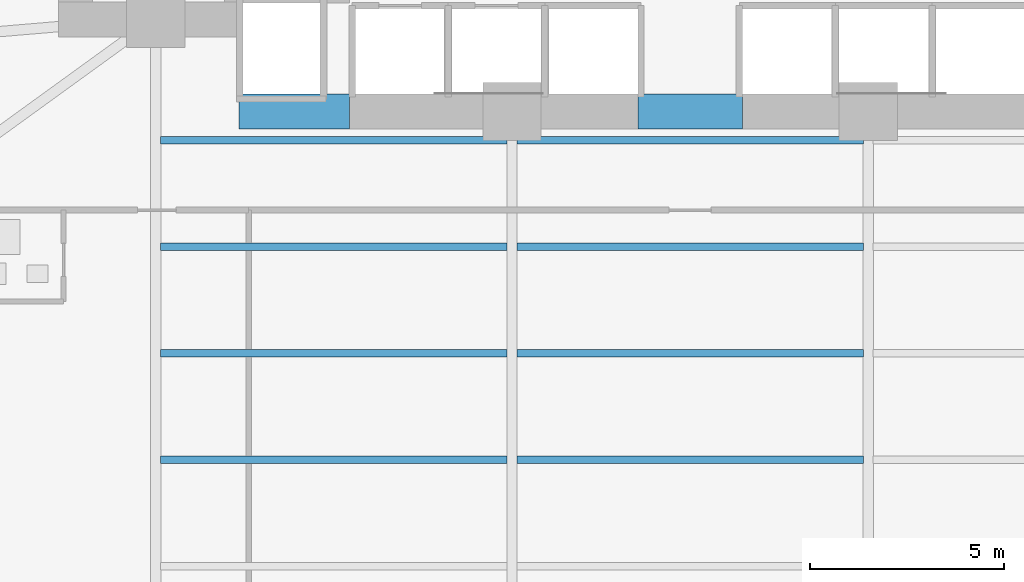
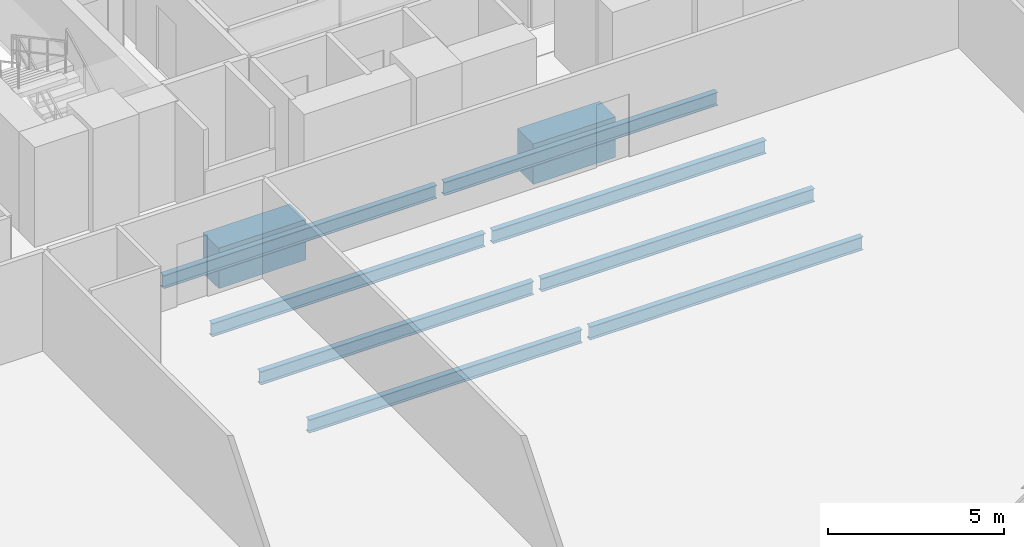
# One storey, part 7 of 28: 10 beams.
"""IFC4 building model written with IfcOpenShell, lengths in metres."""

from ifc_helpers import new_model, si_unit, direction, frame, origin, origin_2d, place, context, subcontext, project, spatial, rectangle, i_section, extrude, material, material_profile, profile_set, type_object, element, save


model = new_model("IFC4")

# Units and contexts
model_context = context("Model", 3, precision=1e-05, world=origin(), true_north=direction((0.0, 1.0)))
body_context = subcontext(model_context, "Body", "Model", "MODEL_VIEW")
ifc_project = project(units=[si_unit("LENGTHUNIT", "METRE"), si_unit("AREAUNIT", "SQUARE_METRE"), si_unit("VOLUMEUNIT", "CUBIC_METRE"), si_unit("PLANEANGLEUNIT", "RADIAN"), si_unit("MASSUNIT", "GRAM", prefix="KILO")], contexts=[model_context])

# Site, building, storey
site_placement = place(None, origin())
site = spatial("IfcSite", under=ifc_project, at=site_placement, CompositionType="ELEMENT")
building_placement = place(site_placement, origin())
building = spatial("IfcBuilding", under=site, at=building_placement, Name="Zuhayl Quay Hotel", CompositionType="ELEMENT")
storey_placement = place(building_placement, frame((0.0, 0.0, 78.699951171875)))
storey = spatial("IfcBuildingStorey", under=building, at=storey_placement, Name="L19", CompositionType="ELEMENT", Elevation=78.699951171875)

# Beams
ifc_material_1 = material(Name="Concrete C60/75", Category="concrete")
ifc_material_profile_1 = material_profile(ifc_material_1, rectangle(XDim=0.89990234375, YDim=1.39990234375, at=origin_2d()), Name="RC900X1400")
ifc_profile_set_1 = profile_set([ifc_material_profile_1], Name="Concrete C60/75")
beam_type_1 = type_object("IfcBeamType", Name="BM_CB1_RC900", PredefinedType="T_BEAM", material=ifc_profile_set_1)
beam_1_placement = place(storey_placement, frame((-11.64990234375, 2.14990234375, -0.919921875), z_axis=(1.0, 0.0, 0.0), x_axis=(0.0, 1.0, 0.0)))
element("IfcBeam", 1, at=beam_1_placement, inside=storey, type_object=beam_type_1, Name="L19 Core Coupling Beam SW", PredefinedType="T_BEAM", context=body_context, shape_type="SweptSolid", body=[
    extrude(rectangle(XDim=0.89990234375, YDim=1.39990234375, at=origin_2d()), origin(), (0.0, 0.0, 1.0), 2.849853515625),
])
beam_2_placement = place(storey_placement, frame((-1.35009765625, 2.14990234375, -0.919921875), z_axis=(1.0, 0.0, 0.0), x_axis=(0.0, 1.0, 0.0)))
element("IfcBeam", 2, at=beam_2_placement, inside=storey, type_object=beam_type_1, Name="L19 Core Coupling Beam South", PredefinedType="T_BEAM", context=body_context, shape_type="SweptSolid", body=[
    extrude(rectangle(XDim=0.89990234375, YDim=1.39990234375, at=origin_2d()), origin(), (0.0, 0.0, 1.0), 2.7001953125),
])
ifc_material_2 = material(Name="Steel ASTM A992 Grade 50", Category="steel")
ifc_material_profile_2 = material_profile(ifc_material_2, i_section(OverallWidth=0.18994140625, OverallDepth=0.45703125, WebThickness=0.009033203125, FlangeThickness=0.014404296875, at=origin_2d()), Name="W18X50")
ifc_profile_set_2 = profile_set([ifc_material_profile_2], Name="Steel ASTM A992 Grade 50")
beam_type_2 = type_object("IfcBeamType", Name="BM_J2_W18X50", PredefinedType="JOIST", material=ifc_profile_set_2)
beam_3_placement = place(storey_placement, frame((-13.674560546875, -6.85009765625, -0.448486328125), z_axis=(1.0, 0.0, 0.0), x_axis=(0.0, 1.0, 0.0)))
element("IfcBeam", 3, at=beam_3_placement, inside=storey, type_object=beam_type_2, Name="L19 Floor Beam FJ_L19_7_1", PredefinedType="JOIST", context=body_context, shape_type="SweptSolid", body=[
    extrude(i_section(OverallWidth=0.18994140625, OverallDepth=0.45703125, WebThickness=0.009033203125, FlangeThickness=0.014404296875, at=origin_2d()), origin(), (0.0, 0.0, 1.0), 8.948974609375),
])
beam_4_placement = place(storey_placement, frame((-4.474609375, -6.85009765625, -0.448486328125), z_axis=(1.0, 0.0, 0.0), x_axis=(0.0, 1.0, 0.0)))
element("IfcBeam", 4, at=beam_4_placement, inside=storey, type_object=beam_type_2, Name="L19 Floor Beam FJ_L19_7_2", PredefinedType="JOIST", context=body_context, shape_type="SweptSolid", body=[
    extrude(i_section(OverallWidth=0.18994140625, OverallDepth=0.45703125, WebThickness=0.009033203125, FlangeThickness=0.014404296875, at=origin_2d()), origin(), (0.0, 0.0, 1.0), 8.94921875),
])
beam_5_placement = place(storey_placement, frame((-13.674560546875, -4.10009765625, -0.448486328125), z_axis=(1.0, 0.0, 0.0), x_axis=(0.0, 1.0, 0.0)))
element("IfcBeam", 5, at=beam_5_placement, inside=storey, type_object=beam_type_2, Name="L19 Floor Beam FJ_L19_8_1", PredefinedType="JOIST", context=body_context, shape_type="SweptSolid", body=[
    extrude(i_section(OverallWidth=0.18994140625, OverallDepth=0.45703125, WebThickness=0.009033203125, FlangeThickness=0.014404296875, at=origin_2d()), origin(), (0.0, 0.0, 1.0), 8.948974609375),
])
beam_6_placement = place(storey_placement, frame((-4.474609375, -4.10009765625, -0.448486328125), z_axis=(1.0, 0.0, 0.0), x_axis=(0.0, 1.0, 0.0)))
element("IfcBeam", 6, at=beam_6_placement, inside=storey, type_object=beam_type_2, Name="L19 Floor Beam FJ_L19_8_2", PredefinedType="JOIST", context=body_context, shape_type="SweptSolid", body=[
    extrude(i_section(OverallWidth=0.18994140625, OverallDepth=0.45703125, WebThickness=0.009033203125, FlangeThickness=0.014404296875, at=origin_2d()), origin(), (0.0, 0.0, 1.0), 8.94921875),
])
beam_7_placement = place(storey_placement, frame((-13.674560546875, -1.35009765625, -0.448486328125), z_axis=(1.0, 0.0, 0.0), x_axis=(0.0, 1.0, 0.0)))
element("IfcBeam", 7, at=beam_7_placement, inside=storey, type_object=beam_type_2, Name="L19 Floor Beam FJ_L19_9_1", PredefinedType="JOIST", context=body_context, shape_type="SweptSolid", body=[
    extrude(i_section(OverallWidth=0.18994140625, OverallDepth=0.45703125, WebThickness=0.009033203125, FlangeThickness=0.014404296875, at=origin_2d()), origin(), (0.0, 0.0, 1.0), 8.948974609375),
])
beam_8_placement = place(storey_placement, frame((-4.474609375, -1.35009765625, -0.448486328125), z_axis=(1.0, 0.0, 0.0), x_axis=(0.0, 1.0, 0.0)))
element("IfcBeam", 8, at=beam_8_placement, inside=storey, type_object=beam_type_2, Name="L19 Floor Beam FJ_L19_9_2", PredefinedType="JOIST", context=body_context, shape_type="SweptSolid", body=[
    extrude(i_section(OverallWidth=0.18994140625, OverallDepth=0.45703125, WebThickness=0.009033203125, FlangeThickness=0.014404296875, at=origin_2d()), origin(), (0.0, 0.0, 1.0), 8.94921875),
])
beam_9_placement = place(storey_placement, frame((-13.674560546875, 1.39990234375, -0.448486328125), z_axis=(1.0, 0.0, 0.0), x_axis=(0.0, 1.0, 0.0)))
element("IfcBeam", 9, at=beam_9_placement, inside=storey, type_object=beam_type_2, Name="L19 Floor Beam FJ_L19_10_1", PredefinedType="JOIST", context=body_context, shape_type="SweptSolid", body=[
    extrude(i_section(OverallWidth=0.18994140625, OverallDepth=0.45703125, WebThickness=0.009033203125, FlangeThickness=0.014404296875, at=origin_2d()), origin(), (0.0, 0.0, 1.0), 8.948974609375),
])
beam_10_placement = place(storey_placement, frame((-4.474609375, 1.39990234375, -0.448486328125), z_axis=(1.0, 0.0, 0.0), x_axis=(0.0, 1.0, 0.0)))
element("IfcBeam", 10, at=beam_10_placement, inside=storey, type_object=beam_type_2, Name="L19 Floor Beam FJ_L19_10_2", PredefinedType="JOIST", context=body_context, shape_type="SweptSolid", body=[
    extrude(i_section(OverallWidth=0.18994140625, OverallDepth=0.45703125, WebThickness=0.009033203125, FlangeThickness=0.014404296875, at=origin_2d()), origin(), (0.0, 0.0, 1.0), 8.94921875),
])

save(model, "model.ifc")
